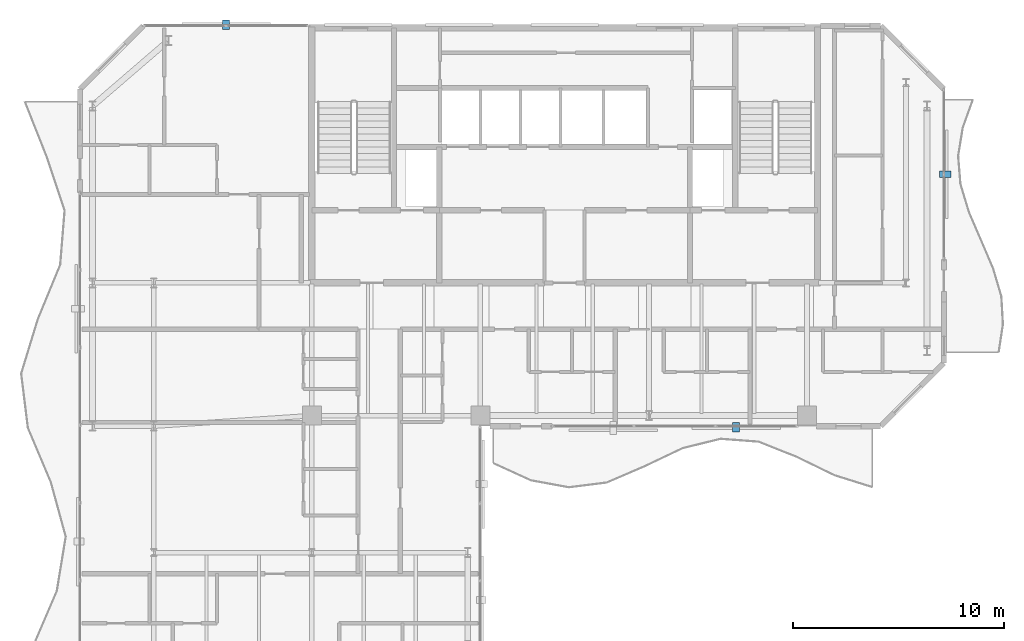
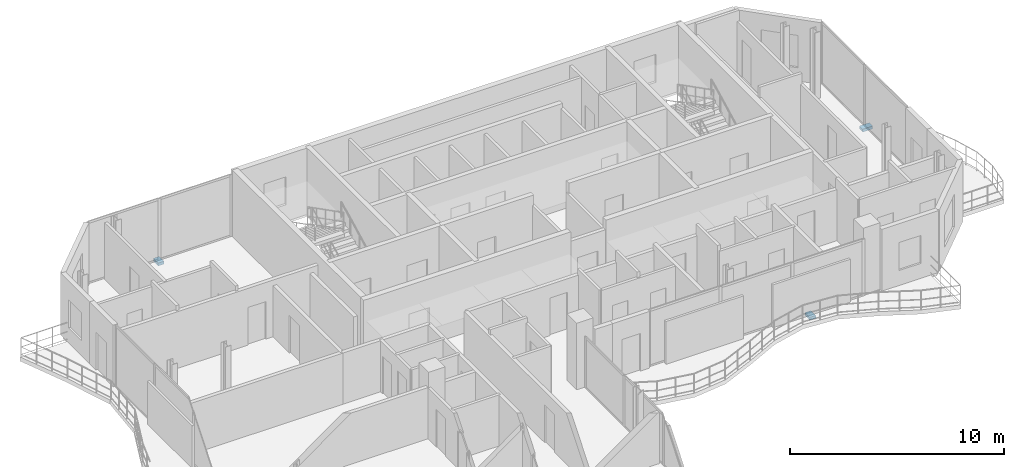
# One storey, part 21 of 24: 3 discrete accessories.
"""IFC4 building model written with IfcOpenShell, lengths in metres."""

import ifcopenshell
import ifcopenshell.guid

model = None  # the IFC model being written
_history = None  # IfcOwnerHistory: only IFC2X3 demands one
_inside = {}  # id of a spatial element -> (the spatial element, [elements in it])
_under = {}  # id of a project, library or spatial element -> (it, [spatial elements below it])
_declared = {}  # id of a project -> (the project, [libraries it declares])
_typed = {}  # id of a type object -> (the type object, [elements of that type])
_made_of = {}  # id of a material, layer set ... -> (it, [elements and type objects made of it])


def new_model(schema):
    """Start an empty IFC model of exactly this schema.

    Asked for "IFC4X3", IfcOpenShell would pick the latest addendum, in which some entities
    have other attributes; the version numbers below select the first issue.
    IFC2X3 requires an IfcOwnerHistory on every rooted entity: one is made here for all.
    """
    global model, _history
    if schema == "IFC4X3":
        model = ifcopenshell.file(schema_version=(4, 3, 0, 0))
    else:
        model = ifcopenshell.file(schema=schema)
    _inside.clear()
    _under.clear()
    _declared.clear()
    _typed.clear()
    _made_of.clear()
    _history = None
    if model.schema == "IFC2X3":
        org = make("IfcOrganization", Name="unknown")
        user = make(
            "IfcPersonAndOrganization",
            ThePerson=make("IfcPerson", FamilyName="unknown"),
            TheOrganization=org,
        )
        app = make(
            "IfcApplication",
            ApplicationDeveloper=org,
            Version="unknown",
            ApplicationFullName="unknown",
            ApplicationIdentifier="unknown",
        )
        _history = make(
            "IfcOwnerHistory",
            OwningUser=user,
            OwningApplication=app,
            ChangeAction="ADDED",
            CreationDate=0,
        )
    return model


def make(cls, **values):
    """One entity of the class cls with the attributes given. An attribute that is None is left unset."""
    return model.create_entity(
        cls, **{name: value for name, value in values.items() if value is not None}
    )


def rooted(cls, **values):
    """An entity with a GlobalId (a new one), such as an element, a storey or a relation."""
    return make(cls, GlobalId=ifcopenshell.guid.new(), OwnerHistory=_history, **values)


def si_unit(unit_type, name, prefix=None):
    """IfcSIUnit, for example si_unit("LENGTHUNIT", "METRE", prefix="MILLI")."""
    return make("IfcSIUnit", UnitType=unit_type, Prefix=prefix, Name=name)


def assignment(units):
    """IfcUnitAssignment: the units of a project."""
    return None if units is None else make("IfcUnitAssignment", Units=units)


def point(xyz):
    """IfcCartesianPoint."""
    return None if xyz is None else make("IfcCartesianPoint", Coordinates=xyz)


def direction(xyz):
    """IfcDirection."""
    return None if xyz is None else make("IfcDirection", DirectionRatios=xyz)


def frame(location, z_axis=None, x_axis=None):
    """IfcAxis2Placement3D, a coordinate frame: its origin and axes. An axis left out is left unset."""
    return make(
        "IfcAxis2Placement3D",
        Location=point(location),
        Axis=direction(z_axis),
        RefDirection=direction(x_axis),
    )


def frame_2d(location, x_axis=None):
    """IfcAxis2Placement2D, a coordinate frame in the plane: its origin and x axis."""
    return make(
        "IfcAxis2Placement2D", Location=point(location), RefDirection=direction(x_axis)
    )


def origin():
    """The frame at (0, 0, 0) with its axes left unset."""
    return frame((0.0, 0.0, 0.0))


def origin_2d():
    """The frame at (0, 0) in the plane with its x axis left unset."""
    return frame_2d((0.0, 0.0))


def place(relative_to, where):
    """IfcLocalPlacement: puts the frame where relative to a parent placement (None: the world)."""
    return make(
        "IfcLocalPlacement", PlacementRelTo=relative_to, RelativePlacement=where
    )


def context(
    kind, dimensions, precision=None, world=None, true_north=None, identifier=None
):
    """IfcGeometricRepresentationContext, for example the 3D "Model" context."""
    return make(
        "IfcGeometricRepresentationContext",
        ContextIdentifier=identifier,
        ContextType=kind,
        CoordinateSpaceDimension=dimensions,
        Precision=precision,
        WorldCoordinateSystem=world,
        TrueNorth=true_north,
    )


def subcontext(parent, identifier, kind, view, scale=None):
    """IfcGeometricRepresentationSubContext, for example "Body" below "Model"."""
    return make(
        "IfcGeometricRepresentationSubContext",
        ContextIdentifier=identifier,
        ContextType=kind,
        ParentContext=parent,
        TargetScale=scale,
        TargetView=view,
    )


def project(units=None, contexts=None):
    """IfcProject with its units and contexts."""
    return rooted(
        "IfcProject",
        Name="project",
        RepresentationContexts=contexts,
        UnitsInContext=assignment(units),
    )


def spatial(cls, under=None, at=None, **own):
    """A site, building, storey or space (cls), placed at a placement, below another one or the project."""
    s = rooted(cls, ObjectPlacement=at, **own)
    if under is not None:
        _under.setdefault(under.id(), (under, []))[1].append(s)
    return s


def profile(cls, at=None, kind="AREA", **sizes):
    """A parametric profile (cls). Its sizes go by their IFC names, for example OverallWidth=200.0."""
    return make(cls, ProfileType=kind, Position=at, **sizes)


def rectangle(**sizes):
    """IfcRectangleProfileDef."""
    return profile("IfcRectangleProfileDef", **sizes)


def extrude(swept, where, along, depth):
    """IfcExtrudedAreaSolid: the profile swept, set in the frame where, extruded along a direction by depth."""
    return make(
        "IfcExtrudedAreaSolid",
        SweptArea=swept,
        Position=where,
        ExtrudedDirection=direction(along),
        Depth=depth,
    )


def shape(context_of_items, identifier, shape_type, items):
    """IfcShapeRepresentation: the items that make up one representation, for example the "Body"."""
    return make(
        "IfcShapeRepresentation",
        ContextOfItems=context_of_items,
        RepresentationIdentifier=identifier,
        RepresentationType=shape_type,
        Items=items,
    )


def material(Name=None, Category=None):
    """IfcMaterial."""
    return make("IfcMaterial", Name=Name, Category=Category)


def made_of(thing, what):
    """Note that an element or type object is made of a material, layer set ...; save() writes the relation."""
    if what is not None:
        _made_of.setdefault(what.id(), (what, []))[1].append(thing)
    return thing


def type_object(cls, material=None, **own):
    """A type object (cls), such as IfcWallType, which elements share."""
    return made_of(rooted(cls, **own), material)


def element(
    cls,
    number,
    at=None,
    inside=None,
    cuts=None,
    type_object=None,
    material=None,
    context=None,
    identifier="Body",
    shape_type=None,
    held_by="IfcProductDefinitionShape",
    body=None,
    shapes=None,
    **own,
):
    """One element of the class cls, such as IfcWall. Its Tag is "e" and its number.

    at: its placement. inside: the storey or other place that contains it. cuts: it is an
    opening in that element (IfcRelVoidsElement). A single representation is given by context,
    identifier, shape_type and body (its items); several are given by shapes. held_by: the class
    of the entity that holds the representations. save() writes the other relations.
    """
    e = rooted(cls, Tag="e%d" % number, ObjectPlacement=at, **own)
    if body is not None:
        shapes = [shape(context, identifier, shape_type, body)]
    if shapes is not None:
        e.Representation = make(held_by, Representations=shapes)
    if inside is not None:
        _inside.setdefault(inside.id(), (inside, []))[1].append(e)
    if cuts is not None:
        rooted(
            "IfcRelVoidsElement", RelatingBuildingElement=cuts, RelatedOpeningElement=e
        )
    if type_object is not None:
        _typed.setdefault(type_object.id(), (type_object, []))[1].append(e)
    return made_of(e, material)


def aggregate(whole, parts):
    """IfcRelAggregates: a whole, such as a stair, and the parts it consists of."""
    return rooted("IfcRelAggregates", RelatingObject=whole, RelatedObjects=parts)


def save(model, path):
    """Write the relations noted so far, then the file.

    IfcRelAggregates (storeys below a building ...), IfcRelContainedInSpatialStructure (elements
    in a storey), IfcRelDefinesByType, IfcRelAssociatesMaterial and IfcRelDeclares: one each for
    every whole, place, type object, material and project.
    """
    for whole, parts in _under.values():
        aggregate(whole, parts)
    for where, things in _inside.values():
        rooted(
            "IfcRelContainedInSpatialStructure",
            RelatedElements=things,
            RelatingStructure=where,
        )
    for kind, things in _typed.values():
        rooted("IfcRelDefinesByType", RelatedObjects=things, RelatingType=kind)
    for what, things in _made_of.values():
        rooted("IfcRelAssociatesMaterial", RelatedObjects=things, RelatingMaterial=what)
    for by, libraries in _declared.values():
        rooted("IfcRelDeclares", RelatingContext=by, RelatedDefinitions=libraries)
    model.write(path)


model = new_model("IFC4")

# Units and contexts
model_context = context("Model", 3, precision=1e-05, world=origin(), true_north=direction((0.0, 1.0)))
body_context = subcontext(model_context, "Body", "Model", "MODEL_VIEW")
ifc_project = project(units=[si_unit("LENGTHUNIT", "METRE"), si_unit("AREAUNIT", "SQUARE_METRE"), si_unit("VOLUMEUNIT", "CUBIC_METRE"), si_unit("PLANEANGLEUNIT", "RADIAN"), si_unit("MASSUNIT", "GRAM", prefix="KILO")], contexts=[model_context])

# Site, building, storey
site_placement = place(None, origin())
site = spatial("IfcSite", under=ifc_project, at=site_placement, CompositionType="ELEMENT")
building_placement = place(site_placement, origin())
building = spatial("IfcBuilding", under=site, at=building_placement, Name="Catumbela Crestline Tower", CompositionType="ELEMENT")
storey_placement = place(building_placement, frame((0.0, 0.0, 237.4)))
storey = spatial("IfcBuildingStorey", under=building, at=storey_placement, Name="L61", CompositionType="ELEMENT", Elevation=237.4)

# Discrete accessories
ifc_material = material(Name="Stainless steel EN 1.4401", Category="steel")
discrete_accessory_type = type_object("IfcDiscreteAccessoryType", Name="BK-SS1", PredefinedType="BRACKET", material=ifc_material)
discrete_accessory_1_placement = place(storey_placement, frame((36.1375, 23.955, -0.18), z_axis=(0.0, 0.0, 1.0), x_axis=(1.0, 0.0, 0.0)))
element("IfcDiscreteAccessory", 1, at=discrete_accessory_1_placement, inside=storey, type_object=discrete_accessory_type, Name="L61 Solar Screen Stainless Bracket 735", PredefinedType="BRACKET", context=body_context, shape_type="SweptSolid", body=[
    extrude(rectangle(XDim=0.32, YDim=0.46, at=origin_2d()), origin(), (0.0, 0.0, 1.0), 0.16),
])
discrete_accessory_2_placement = place(storey_placement, frame((46.065, 35.95, -0.18), z_axis=(0.0, 0.0, 1.0), x_axis=(0.0, 1.0, 0.0)))
element("IfcDiscreteAccessory", 2, at=discrete_accessory_2_placement, inside=storey, type_object=discrete_accessory_type, Name="L61 Solar Screen Stainless Bracket 736", PredefinedType="BRACKET", context=body_context, shape_type="SweptSolid", body=[
    extrude(rectangle(XDim=0.32, YDim=0.54, at=origin_2d()), origin(), (0.0, 0.0, 1.0), 0.16),
])
discrete_accessory_3_placement = place(storey_placement, frame((11.93, 43.045, -0.18), z_axis=(0.0, 0.0, 1.0), x_axis=(-1.0, 0.0, 0.0)))
element("IfcDiscreteAccessory", 3, at=discrete_accessory_3_placement, inside=storey, type_object=discrete_accessory_type, Name="L61 Solar Screen Stainless Bracket 737", PredefinedType="BRACKET", context=body_context, shape_type="SweptSolid", body=[
    extrude(rectangle(XDim=0.32, YDim=0.46, at=origin_2d()), origin(), (0.0, 0.0, 1.0), 0.16),
])

save(model, "model.ifc")
